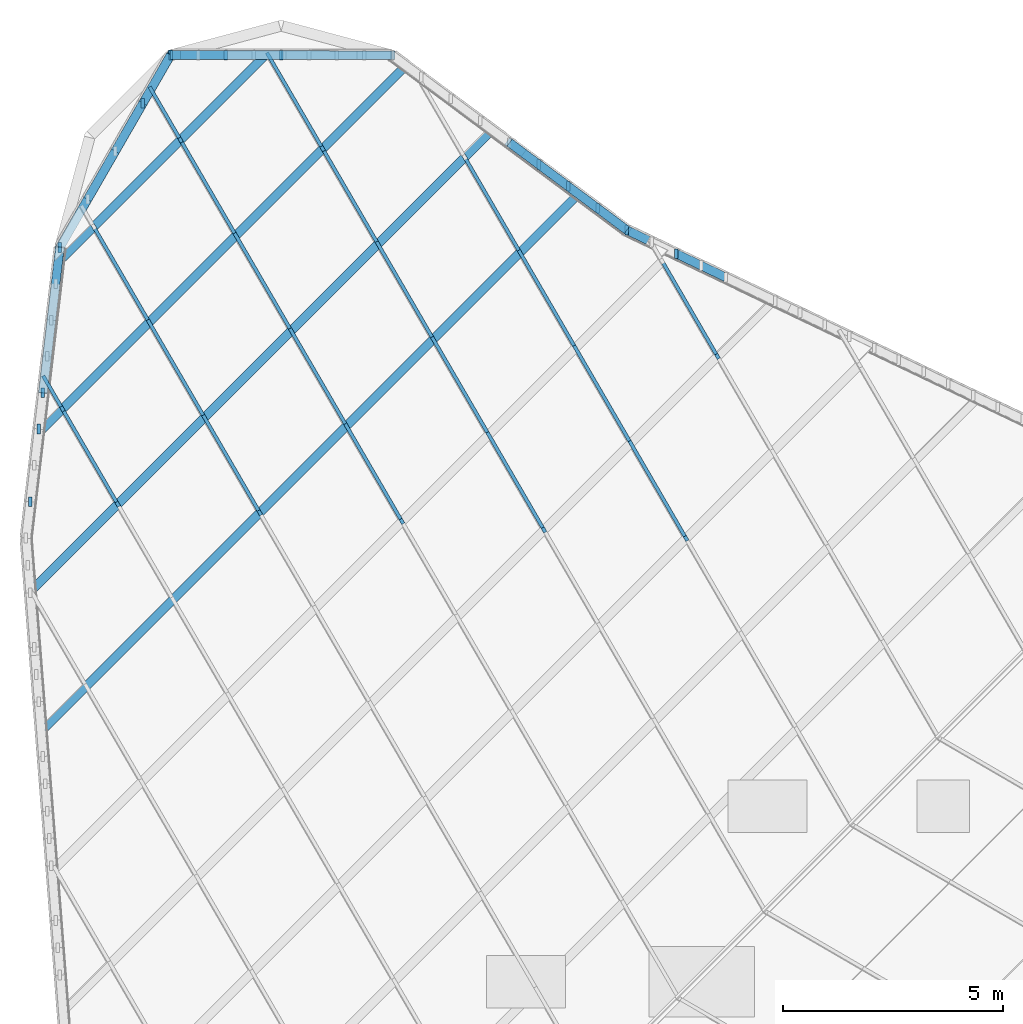
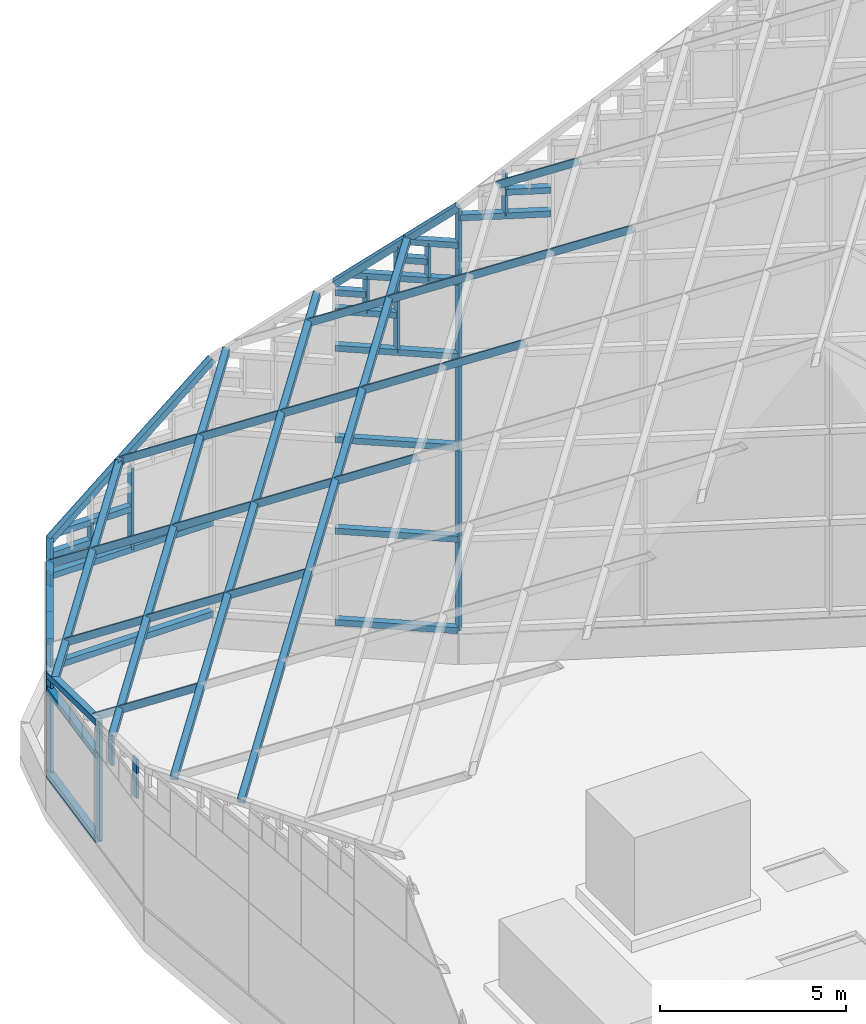
# One storey, part 8 of 29: 64 members, 1 element without a shape of its own.
"""IFC4 building model written with IfcOpenShell, lengths in metres."""

from ifc_helpers import new_model, si_unit, direction, frame, origin, origin_2d, place, context, subcontext, project, spatial, rectangle, extrude, material, material_profile, profile_set, type_object, element, aggregate, save


model = new_model("IFC4")

# Units and contexts
model_context = context("Model", 3, precision=1e-05, world=origin(), true_north=direction((0.0, 1.0)))
body_context = subcontext(model_context, "Body", "Model", "MODEL_VIEW")
ifc_project = project(units=[si_unit("LENGTHUNIT", "METRE"), si_unit("AREAUNIT", "SQUARE_METRE"), si_unit("VOLUMEUNIT", "CUBIC_METRE"), si_unit("PLANEANGLEUNIT", "RADIAN"), si_unit("MASSUNIT", "GRAM", prefix="KILO")], contexts=[model_context])

# Site, building, storey
site_placement = place(None, origin())
site = spatial("IfcSite", under=ifc_project, at=site_placement, CompositionType="ELEMENT")
building_placement = place(site_placement, origin())
building = spatial("IfcBuilding", under=site, at=building_placement, Name="Tanit Gate Tower", CompositionType="ELEMENT")
storey_placement = place(building_placement, frame((0.0, 0.0, 445.300048828125)))
storey = spatial("IfcBuildingStorey", under=building, at=storey_placement, Name="ROOF", CompositionType="ELEMENT", Elevation=445.300048828125)

# Curtain wall, members
ifc_material_1 = material(Name="Aluminium bronze anodised and glass", Category="aluminium")
curtain_wall_type = type_object("IfcCurtainWallType", Name="Curtain wall crown roof", PredefinedType="NOTDEFINED", material=ifc_material_1)
curtain_wall_placement = place(storey_placement, origin())
curtain_wall = element("IfcCurtainWall", 1, at=curtain_wall_placement, inside=storey, type_object=curtain_wall_type, Name="Crown lantern", PredefinedType="NOTDEFINED")
ifc_material_2 = material(Name="Aluminium bronze anodised", Category="aluminium")
ifc_material_profile_1 = material_profile(ifc_material_2, rectangle(XDim=0.080078125, YDim=0.219970703125, at=origin_2d()), Name="80x220 bronze rafter")
ifc_profile_set_1 = profile_set([ifc_material_profile_1], Name="Aluminium bronze anodised")
member_type_1 = type_object("IfcMemberType", Name="Mullion 80x220 crown roof", PredefinedType="MULLION", material=ifc_profile_set_1)
member_1_placement = place(storey_placement, frame((-1.703125, 16.960205078125, 1.199951171875), z_axis=(0.0, 0.0, 1.0), x_axis=(1.0, 0.0, 0.0)))
member_1 = element("IfcMember", 2, at=member_1_placement, type_object=member_type_1, Name="Lantern mullion 8", PredefinedType="MULLION", context=body_context, shape_type="SweptSolid", body=[
    extrude(rectangle(XDim=0.080078125, YDim=0.219970703125, at=origin_2d()), origin(), (0.0, 0.0, 1.0), 13.86279296875),
])
member_2_placement = place(storey_placement, frame((-12.093505859375, 20.9462890625, 1.199951171875), z_axis=(0.0, 0.0, 1.0), x_axis=(1.0, 0.0, 0.0)))
member_2 = element("IfcMember", 3, at=member_2_placement, type_object=member_type_1, Name="Lantern mullion 11", PredefinedType="MULLION", context=body_context, shape_type="SweptSolid", body=[
    extrude(rectangle(XDim=0.080078125, YDim=0.219970703125, at=origin_2d()), origin(), (0.0, 0.0, 1.0), 4.14697265625),
])
member_3_placement = place(storey_placement, frame((-14.61572265625, 16.5654296875, 1.199951171875), z_axis=(0.0, 0.0, 1.0), x_axis=(1.0, 0.0, 0.0)))
member_3 = element("IfcMember", 4, at=member_3_placement, type_object=member_type_1, Name="Lantern mullion 12", PredefinedType="MULLION", context=body_context, shape_type="SweptSolid", body=[
    extrude(rectangle(XDim=0.080078125, YDim=0.219970703125, at=origin_2d()), origin(), (0.0, 0.0, 1.0), 3.26220703125),
])
member_4_placement = place(storey_placement, frame((-15.003173828125, 13.2578125, 1.199951171875), z_axis=(0.0, 0.0, 1.0), x_axis=(1.0, 0.0, 0.0)))
member_4 = element("IfcMember", 5, at=member_4_placement, type_object=member_type_1, Name="Lantern mullion 13", PredefinedType="MULLION", context=body_context, shape_type="SweptSolid", body=[
    extrude(rectangle(XDim=0.080078125, YDim=0.219970703125, at=origin_2d()), origin(), (0.0, 0.0, 1.0), 3.852294921875),
])
member_5_placement = place(storey_placement, frame((-0.5771484375, 16.42236328125, 14.747802734375), z_axis=(0.0, 0.0, 1.0), x_axis=(1.0, 0.0, 0.0)))
member_5 = element("IfcMember", 6, at=member_5_placement, type_object=member_type_1, Name="Lantern clerestory bar 7.5.4", PredefinedType="MULLION", context=body_context, shape_type="SweptSolid", body=[
    extrude(rectangle(XDim=0.080078125, YDim=0.219970703125, at=origin_2d()), origin(), (0.0, 0.0, 1.0), 1.39697265625),
])
member_6_placement = place(storey_placement, frame((-3.040283203125, 17.9560546875, 10.199951171875), z_axis=(0.0, 0.0, 1.0), x_axis=(1.0, 0.0, 0.0)))
member_6 = element("IfcMember", 7, at=member_6_placement, type_object=member_type_1, Name="Lantern clerestory bar 8.4.2", PredefinedType="MULLION", context=body_context, shape_type="SweptSolid", body=[
    extrude(rectangle(XDim=0.080078125, YDim=0.219970703125, at=origin_2d()), origin(), (0.0, 0.0, 1.0), 2.431396484375),
])
member_7_placement = place(storey_placement, frame((-3.708984375, 18.4541015625, 11.41552734375), z_axis=(0.0, 0.0, 1.0), x_axis=(1.0, 0.0, 0.0)))
member_7 = element("IfcMember", 8, at=member_7_placement, type_object=member_type_1, Name="Lantern clerestory bar 8.4.4", PredefinedType="MULLION", context=body_context, shape_type="SweptSolid", body=[
    extrude(rectangle(XDim=0.080078125, YDim=0.219970703125, at=origin_2d()), origin(), (0.0, 0.0, 1.0), 1.2158203125),
])
member_8_placement = place(storey_placement, frame((-3.040283203125, 17.9560546875, 12.63134765625), z_axis=(0.0, 0.0, 1.0), x_axis=(1.0, 0.0, 0.0)))
member_8 = element("IfcMember", 9, at=member_8_placement, type_object=member_type_1, Name="Lantern clerestory bar 8.4.6", PredefinedType="MULLION", context=body_context, shape_type="SweptSolid", body=[
    extrude(rectangle(XDim=0.080078125, YDim=0.219970703125, at=origin_2d()), origin(), (0.0, 0.0, 1.0), 1.0478515625),
])
member_9_placement = place(storey_placement, frame((-2.371826171875, 17.458251953125, 12.63134765625), z_axis=(0.0, 0.0, 1.0), x_axis=(1.0, 0.0, 0.0)))
member_9 = element("IfcMember", 10, at=member_9_placement, type_object=member_type_1, Name="Lantern clerestory bar 8.4.8", PredefinedType="MULLION", context=body_context, shape_type="SweptSolid", body=[
    extrude(rectangle(XDim=0.080078125, YDim=0.219970703125, at=origin_2d()), origin(), (0.0, 0.0, 1.0), 1.215576171875),
])
member_10_placement = place(storey_placement, frame((-9.57275390625, 20.9453125, 4.199951171875), z_axis=(0.0, 0.0, 1.0), x_axis=(1.0, 0.0, 0.0)))
member_10 = element("IfcMember", 11, at=member_10_placement, type_object=member_type_1, Name="Lantern clerestory bar 10.2.2", PredefinedType="MULLION", context=body_context, shape_type="SweptSolid", body=[
    extrude(rectangle(XDim=0.080078125, YDim=0.219970703125, at=origin_2d()), origin(), (0.0, 0.0, 1.0), 2.66455078125),
])
member_11_placement = place(storey_placement, frame((-10.8330078125, 20.94580078125, 4.199951171875), z_axis=(0.0, 0.0, 1.0), x_axis=(1.0, 0.0, 0.0)))
member_11 = element("IfcMember", 12, at=member_11_placement, type_object=member_type_1, Name="Lantern clerestory bar 10.2.4", PredefinedType="MULLION", context=body_context, shape_type="SweptSolid", body=[
    extrude(rectangle(XDim=0.080078125, YDim=0.219970703125, at=origin_2d()), origin(), (0.0, 0.0, 1.0), 1.332275390625),
])
member_12_placement = place(storey_placement, frame((-12.72412109375, 19.85107421875, 3.962158203125), z_axis=(0.0, 0.0, 1.0), x_axis=(1.0, 0.0, 0.0)))
member_12 = element("IfcMember", 13, at=member_12_placement, type_object=member_type_1, Name="Lantern clerestory bar 11.2.2", PredefinedType="MULLION", context=body_context, shape_type="SweptSolid", body=[
    extrude(rectangle(XDim=0.080078125, YDim=0.219970703125, at=origin_2d()), origin(), (0.0, 0.0, 1.0), 1.16357421875),
])
member_13_placement = place(storey_placement, frame((-15.10009765625, 12.43115234375, 4.199951171875), z_axis=(0.0, 0.0, 1.0), x_axis=(1.0, 0.0, 0.0)))
member_13 = element("IfcMember", 14, at=member_13_placement, type_object=member_type_1, Name="Lantern clerestory bar 13.2.2", PredefinedType="MULLION", context=body_context, shape_type="SweptSolid", body=[
    extrude(rectangle(XDim=0.080078125, YDim=0.219970703125, at=origin_2d()), origin(), (0.0, 0.0, 1.0), 0.999755859375),
])
member_14_placement = place(storey_placement, frame((-15.293701171875, 10.77734375, 4.199951171875), z_axis=(0.0, 0.0, 1.0), x_axis=(1.0, 0.0, 0.0)))
member_14 = element("IfcMember", 15, at=member_14_placement, type_object=member_type_1, Name="Lantern clerestory bar 13.2.5", PredefinedType="MULLION", context=body_context, shape_type="SweptSolid", body=[
    extrude(rectangle(XDim=0.080078125, YDim=0.219970703125, at=origin_2d()), origin(), (0.0, 0.0, 1.0), 1.294677734375),
])
member_15_placement = place(storey_placement, frame((-13.29736328125, 10.718505859375, 7.16650390625), z_axis=(-0.420098879156, 0.723494582662, -0.547788755444), x_axis=(-0.864786221347, -0.502140210865, 0.0)))
member_15 = element("IfcMember", 16, at=member_15_placement, type_object=member_type_1, Name="Lantern rafter E6", PredefinedType="MULLION", context=body_context, shape_type="SweptSolid", body=[
    extrude(rectangle(XDim=0.080078125, YDim=0.219970703125, at=origin_2d()), origin(), (0.0, 0.0, 1.0), 3.0),
])
member_16_placement = place(storey_placement, frame((-14.5576171875, 12.888916015625, 5.523193359375), z_axis=(-0.420135445125, 0.723510559462, -0.54773960793), x_axis=(-0.864772057256, -0.502164603481, 0.0)))
member_16 = element("IfcMember", 17, at=member_16_placement, type_object=member_type_1, Name="Lantern rafter E6", PredefinedType="MULLION", context=body_context, shape_type="SweptSolid", body=[
    extrude(rectangle(XDim=0.080078125, YDim=0.219970703125, at=origin_2d()), origin(), (0.0, 0.0, 1.0), 0.968017578125),
])
member_17_placement = place(storey_placement, frame((-10.061767578125, 10.523193359375, 9.90380859375), z_axis=(-0.420098879156, 0.723494582662, -0.547788755444), x_axis=(-0.864786221347, -0.502140210865, 0.0)))
member_17 = element("IfcMember", 18, at=member_17_placement, type_object=member_type_1, Name="Lantern rafter E7", PredefinedType="MULLION", context=body_context, shape_type="SweptSolid", body=[
    extrude(rectangle(XDim=0.080078125, YDim=0.219970703125, at=origin_2d()), origin(), (0.0, 0.0, 1.0), 3.0),
])
member_18_placement = place(storey_placement, frame((-11.322021484375, 12.693603515625, 8.260498046875), z_axis=(-0.420141159031, 0.723508627725, -0.547737776765), x_axis=(-0.864768509235, -0.502170713438, 0.0)))
member_18 = element("IfcMember", 19, at=member_18_placement, type_object=member_type_1, Name="Lantern rafter E7", PredefinedType="MULLION", context=body_context, shape_type="SweptSolid", body=[
    extrude(rectangle(XDim=0.080078125, YDim=0.219970703125, at=origin_2d()), origin(), (0.0, 0.0, 1.0), 3.000244140625),
])
member_19_placement = place(storey_placement, frame((-12.58251953125, 14.8642578125, 6.6171875), z_axis=(-0.420098879156, 0.723494582662, -0.547788755444), x_axis=(-0.864786221347, -0.502140210865, 0.0)))
member_19 = element("IfcMember", 20, at=member_19_placement, type_object=member_type_1, Name="Lantern rafter E7", PredefinedType="MULLION", context=body_context, shape_type="SweptSolid", body=[
    extrude(rectangle(XDim=0.080078125, YDim=0.219970703125, at=origin_2d()), origin(), (0.0, 0.0, 1.0), 3.0),
])
member_20_placement = place(storey_placement, frame((-6.826171875, 10.327880859375, 12.64111328125), z_axis=(-0.420074144471, 0.723533362745, -0.547756502602), x_axis=(-0.864810745962, -0.502097972181, 0.0)))
member_20 = element("IfcMember", 21, at=member_20_placement, type_object=member_type_1, Name="Lantern rafter E8", PredefinedType="MULLION", context=body_context, shape_type="SweptSolid", body=[
    extrude(rectangle(XDim=0.080078125, YDim=0.219970703125, at=origin_2d()), origin(), (0.0, 0.0, 1.0), 3.0),
])
member_21_placement = place(storey_placement, frame((-8.08642578125, 12.49853515625, 10.997802734375), z_axis=(-0.420165895971, 0.723469846055, -0.547770026299), x_axis=(-0.864743978712, -0.502212954116, 0.0)))
member_21 = element("IfcMember", 22, at=member_21_placement, type_object=member_type_1, Name="Lantern rafter E8", PredefinedType="MULLION", context=body_context, shape_type="SweptSolid", body=[
    extrude(rectangle(XDim=0.080078125, YDim=0.219970703125, at=origin_2d()), origin(), (0.0, 0.0, 1.0), 3.0),
])
member_22_placement = place(storey_placement, frame((-9.346923828125, 14.6689453125, 9.3544921875), z_axis=(-0.420098879156, 0.723494582662, -0.547788755444), x_axis=(-0.864786221347, -0.502140210865, 0.0)))
member_22 = element("IfcMember", 23, at=member_22_placement, type_object=member_type_1, Name="Lantern rafter E8", PredefinedType="MULLION", context=body_context, shape_type="SweptSolid", body=[
    extrude(rectangle(XDim=0.080078125, YDim=0.219970703125, at=origin_2d()), origin(), (0.0, 0.0, 1.0), 3.0),
])
member_23_placement = place(storey_placement, frame((-10.607177734375, 16.83935546875, 7.711181640625), z_axis=(-0.420074144471, 0.723533362745, -0.547756502602), x_axis=(-0.864810745962, -0.502097972181, 0.0)))
member_23 = element("IfcMember", 24, at=member_23_placement, type_object=member_type_1, Name="Lantern rafter E8", PredefinedType="MULLION", context=body_context, shape_type="SweptSolid", body=[
    extrude(rectangle(XDim=0.080078125, YDim=0.219970703125, at=origin_2d()), origin(), (0.0, 0.0, 1.0), 3.0),
])
member_24_placement = place(storey_placement, frame((-11.867431640625, 19.010009765625, 6.06787109375), z_axis=(-0.42018284731, 0.723512814313, -0.547700266889), x_axis=(-0.864748132793, -0.502205801272, 0.0)))
member_24 = element("IfcMember", 25, at=member_24_placement, type_object=member_type_1, Name="Lantern rafter E8", PredefinedType="MULLION", context=body_context, shape_type="SweptSolid", body=[
    extrude(rectangle(XDim=0.080078125, YDim=0.219970703125, at=origin_2d()), origin(), (0.0, 0.0, 1.0), 1.6025390625),
])
member_25_placement = place(storey_placement, frame((-3.590576171875, 10.1328125, 15.37841796875), z_axis=(-0.420098879156, 0.723494582662, -0.547788755444), x_axis=(-0.864786221347, -0.502140210865, 0.0)))
member_25 = element("IfcMember", 26, at=member_25_placement, type_object=member_type_1, Name="Lantern rafter E9", PredefinedType="MULLION", context=body_context, shape_type="SweptSolid", body=[
    extrude(rectangle(XDim=0.080078125, YDim=0.219970703125, at=origin_2d()), origin(), (0.0, 0.0, 1.0), 3.0),
])
member_26_placement = place(storey_placement, frame((-4.850830078125, 12.30322265625, 13.735107421875), z_axis=(-0.420165895971, 0.723469846055, -0.547770026299), x_axis=(-0.864743978712, -0.502212954116, 0.0)))
member_26 = element("IfcMember", 27, at=member_26_placement, type_object=member_type_1, Name="Lantern rafter E9", PredefinedType="MULLION", context=body_context, shape_type="SweptSolid", body=[
    extrude(rectangle(XDim=0.080078125, YDim=0.219970703125, at=origin_2d()), origin(), (0.0, 0.0, 1.0), 3.0),
])
member_27_placement = place(storey_placement, frame((-6.111328125, 14.4736328125, 12.091796875), z_axis=(-0.420074144471, 0.723533362745, -0.547756502602), x_axis=(-0.864810745962, -0.502097972181, 0.0)))
member_27 = element("IfcMember", 28, at=member_27_placement, type_object=member_type_1, Name="Lantern rafter E9", PredefinedType="MULLION", context=body_context, shape_type="SweptSolid", body=[
    extrude(rectangle(XDim=0.080078125, YDim=0.219970703125, at=origin_2d()), origin(), (0.0, 0.0, 1.0), 3.0),
])
member_28_placement = place(storey_placement, frame((-7.37158203125, 16.644287109375, 10.448486328125), z_axis=(-0.420098879156, 0.723494582662, -0.547788755444), x_axis=(-0.864786221347, -0.502140210865, 0.0)))
member_28 = element("IfcMember", 29, at=member_28_placement, type_object=member_type_1, Name="Lantern rafter E9", PredefinedType="MULLION", context=body_context, shape_type="SweptSolid", body=[
    extrude(rectangle(XDim=0.080078125, YDim=0.219970703125, at=origin_2d()), origin(), (0.0, 0.0, 1.0), 3.0),
])
member_29_placement = place(storey_placement, frame((-8.6318359375, 18.814697265625, 8.80517578125), z_axis=(-0.420154179832, 0.723497538949, -0.547742436099), x_axis=(-0.864758408327, -0.502188107414, 0.0)))
member_29 = element("IfcMember", 30, at=member_29_placement, type_object=member_type_1, Name="Lantern rafter E9", PredefinedType="MULLION", context=body_context, shape_type="SweptSolid", body=[
    extrude(rectangle(XDim=0.080078125, YDim=0.219970703125, at=origin_2d()), origin(), (0.0, 0.0, 1.0), 2.94482421875),
])
member_30_placement = place(storey_placement, frame((-0.35498046875, 9.9375, 18.115966796875), z_axis=(-0.420080150726, 0.723462328546, -0.54784571381), x_axis=(-0.864786221347, -0.502140210865, 0.0)))
member_30 = element("IfcMember", 31, at=member_30_placement, type_object=member_type_1, Name="Lantern rafter E10", PredefinedType="MULLION", context=body_context, shape_type="SweptSolid", body=[
    extrude(rectangle(XDim=0.080078125, YDim=0.219970703125, at=origin_2d()), origin(), (0.0, 0.0, 1.0), 3.0),
])
member_31_placement = place(storey_placement, frame((-1.615234375, 12.10791015625, 16.472412109375), z_axis=(-0.420141159031, 0.723508627725, -0.547737776765), x_axis=(-0.864768509235, -0.502170713438, 0.0)))
member_31 = element("IfcMember", 32, at=member_31_placement, type_object=member_type_1, Name="Lantern rafter E10", PredefinedType="MULLION", context=body_context, shape_type="SweptSolid", body=[
    extrude(rectangle(XDim=0.080078125, YDim=0.219970703125, at=origin_2d()), origin(), (0.0, 0.0, 1.0), 3.000244140625),
])
member_32_placement = place(storey_placement, frame((-2.875732421875, 14.278564453125, 14.8291015625), z_axis=(-0.420098879156, 0.723494582662, -0.547788755444), x_axis=(-0.864786221347, -0.502140210865, 0.0)))
member_32 = element("IfcMember", 33, at=member_32_placement, type_object=member_type_1, Name="Lantern rafter E10", PredefinedType="MULLION", context=body_context, shape_type="SweptSolid", body=[
    extrude(rectangle(XDim=0.080078125, YDim=0.219970703125, at=origin_2d()), origin(), (0.0, 0.0, 1.0), 3.0),
])
member_33_placement = place(storey_placement, frame((-4.135986328125, 16.448974609375, 13.185791015625), z_axis=(-0.420098879156, 0.723494582662, -0.547788755444), x_axis=(-0.864786221347, -0.502140210865, 0.0)))
member_33 = element("IfcMember", 34, at=member_33_placement, type_object=member_type_1, Name="Lantern rafter E10", PredefinedType="MULLION", context=body_context, shape_type="SweptSolid", body=[
    extrude(rectangle(XDim=0.080078125, YDim=0.219970703125, at=origin_2d()), origin(), (0.0, 0.0, 1.0), 3.0),
])
member_34_placement = place(storey_placement, frame((0.35986328125, 14.083251953125, 17.56640625), z_axis=(-0.420098879156, 0.723494582662, -0.547788755444), x_axis=(-0.864786221347, -0.502140210865, 0.0)))
member_34 = element("IfcMember", 35, at=member_34_placement, type_object=member_type_1, Name="Lantern rafter E11", PredefinedType="MULLION", context=body_context, shape_type="SweptSolid", body=[
    extrude(rectangle(XDim=0.080078125, YDim=0.219970703125, at=origin_2d()), origin(), (0.0, 0.0, 1.0), 3.0),
])
ifc_material_3 = material(Name="Aluminium bronze anodised", Category="aluminium")
ifc_material_profile_2 = material_profile(ifc_material_3, rectangle(XDim=0.199951171875, YDim=0.199951171875, at=origin_2d()), Name="200x200 bronze transom")
ifc_profile_set_2 = profile_set([ifc_material_profile_2], Name="Aluminium bronze anodised")
member_type_2 = type_object("IfcMemberType", Name="Transom 200x200 crown roof", PredefinedType="USERDEFINED", material=ifc_profile_set_2)
member_35_placement = place(storey_placement, frame((-1.703125, 16.960205078125, 1.199951171875), z_axis=(-0.801981170866, 0.597349312862, 0.0), x_axis=(-0.597349312862, -0.801981170866, 0.0)))
member_35 = element("IfcMember", 36, at=member_35_placement, type_object=member_type_2, Name="Lantern eave beam 8", ObjectType="TRANSOM", PredefinedType="USERDEFINED", context=body_context, shape_type="SweptSolid", body=[
    extrude(rectangle(XDim=0.199951171875, YDim=0.199951171875, at=origin_2d()), origin(), (0.0, 0.0, 1.0), 3.334716796875),
])
member_36_placement = place(storey_placement, frame((-1.703125, 16.960205078125, 15.062744140625), z_axis=(-0.617191618922, 0.459710281065, -0.638545975648), x_axis=(-0.597349312862, -0.801981170866, 0.0)))
member_36 = element("IfcMember", 37, at=member_36_placement, type_object=member_type_2, Name="Lantern edge beam 8", ObjectType="TRANSOM", PredefinedType="USERDEFINED", context=body_context, shape_type="SweptSolid", body=[
    extrude(rectangle(XDim=0.199951171875, YDim=0.199951171875, at=origin_2d()), origin(), (0.0, 0.0, 1.0), 4.3330078125),
])
member_37_placement = place(storey_placement, frame((-7.052001953125, 20.944091796875, 1.199951171875), z_axis=(-0.999999905024, 0.00043583531, 0.0), x_axis=(-0.00043583531, -0.999999905024, 0.0)))
member_37 = element("IfcMember", 38, at=member_37_placement, type_object=member_type_2, Name="Lantern eave beam 10", ObjectType="TRANSOM", PredefinedType="USERDEFINED", context=body_context, shape_type="SweptSolid", body=[
    extrude(rectangle(XDim=0.199951171875, YDim=0.199951171875, at=origin_2d()), origin(), (0.0, 0.0, 1.0), 5.04150390625),
])
member_38_placement = place(storey_placement, frame((-7.052001953125, 20.944091796875, 9.529052734375), z_axis=(-0.769655170904, 0.000335442932, -0.6384597132), x_axis=(-0.00043583531, -0.999999905024, 0.0)))
member_38 = element("IfcMember", 39, at=member_38_placement, type_object=member_type_2, Name="Lantern edge beam 10", ObjectType="TRANSOM", PredefinedType="USERDEFINED", context=body_context, shape_type="SweptSolid", body=[
    extrude(rectangle(XDim=0.199951171875, YDim=0.199951171875, at=origin_2d()), origin(), (0.0, 0.0, 1.0), 6.55029296875),
])
member_39_placement = place(storey_placement, frame((-12.093505859375, 20.9462890625, 1.199951171875), z_axis=(-0.498950155725, -0.866630683799, 0.0), x_axis=(0.866630683799, -0.498950155725, 0.0)))
member_39 = element("IfcMember", 40, at=member_39_placement, type_object=member_type_2, Name="Lantern eave beam 11", ObjectType="TRANSOM", PredefinedType="USERDEFINED", context=body_context, shape_type="SweptSolid", body=[
    extrude(rectangle(XDim=0.199951171875, YDim=0.199951171875, at=origin_2d()), origin(), (0.0, 0.0, 1.0), 5.054931640625),
])
member_40_placement = place(storey_placement, frame((-12.093505859375, 20.9462890625, 5.346923828125), z_axis=(-0.491478920839, -0.85365383366, -0.172405344025), x_axis=(0.866630683799, -0.498950155725, 0.0)))
member_40 = element("IfcMember", 41, at=member_40_placement, type_object=member_type_2, Name="Lantern edge beam 11", ObjectType="TRANSOM", PredefinedType="USERDEFINED", context=body_context, shape_type="SweptSolid", body=[
    extrude(rectangle(XDim=0.199951171875, YDim=0.199951171875, at=origin_2d()), origin(), (0.0, 0.0, 1.0), 5.1318359375),
])
member_41_placement = place(storey_placement, frame((-14.61572265625, 16.5654296875, 1.199951171875), z_axis=(-0.116343573015, -0.993209027858, 0.0), x_axis=(0.993209027858, -0.116343573015, 0.0)))
member_41 = element("IfcMember", 42, at=member_41_placement, type_object=member_type_2, Name="Lantern eave beam 12", ObjectType="TRANSOM", PredefinedType="USERDEFINED", context=body_context, shape_type="SweptSolid", body=[
    extrude(rectangle(XDim=0.199951171875, YDim=0.199951171875, at=origin_2d()), origin(), (0.0, 0.0, 1.0), 3.330322265625),
])
member_42_placement = place(storey_placement, frame((-14.61572265625, 16.5654296875, 4.462158203125), z_axis=(-0.114559082003, -0.977975074343, 0.174473409705), x_axis=(0.993209027858, -0.116343573015, 0.0)))
member_42 = element("IfcMember", 43, at=member_42_placement, type_object=member_type_2, Name="Lantern edge beam 12", ObjectType="TRANSOM", PredefinedType="USERDEFINED", context=body_context, shape_type="SweptSolid", body=[
    extrude(rectangle(XDim=0.199951171875, YDim=0.199951171875, at=origin_2d()), origin(), (0.0, 0.0, 1.0), 3.382080078125),
])
member_43_placement = place(storey_placement, frame((0.548828125, 15.88427734375, 14.747802734375), z_axis=(-0.902304661425, 0.431098942205, 0.0), x_axis=(-0.431098942205, -0.902304661425, 0.0)))
member_43 = element("IfcMember", 44, at=member_43_placement, type_object=member_type_2, Name="Lantern clerestory bar 7.5.3", ObjectType="TRANSOM", PredefinedType="USERDEFINED", context=body_context, shape_type="SweptSolid", body=[
    extrude(rectangle(XDim=0.199951171875, YDim=0.199951171875, at=origin_2d()), origin(), (0.0, 0.0, 1.0), 2.495849609375),
])
member_44_placement = place(storey_placement, frame((0.548828125, 15.88427734375, 15.521728515625), z_axis=(-0.902266608691, 0.431178578828, 0.0), x_axis=(-0.431178578828, -0.902266608691, 0.0)))
member_44 = element("IfcMember", 45, at=member_44_placement, type_object=member_type_2, Name="Lantern clerestory bar 7.5.5", ObjectType="TRANSOM", PredefinedType="USERDEFINED", context=body_context, shape_type="SweptSolid", body=[
    extrude(rectangle(XDim=0.199951171875, YDim=0.199951171875, at=origin_2d()), origin(), (0.0, 0.0, 1.0), 1.248046875),
])
member_45_placement = place(storey_placement, frame((-1.703125, 16.960205078125, 4.199951171875), z_axis=(-0.801981170866, 0.597349312862, 0.0), x_axis=(-0.597349312862, -0.801981170866, 0.0)))
member_45 = element("IfcMember", 46, at=member_45_placement, type_object=member_type_2, Name="Lantern clerestory transom 8.1", ObjectType="TRANSOM", PredefinedType="USERDEFINED", context=body_context, shape_type="SweptSolid", body=[
    extrude(rectangle(XDim=0.199951171875, YDim=0.199951171875, at=origin_2d()), origin(), (0.0, 0.0, 1.0), 3.334716796875),
])
member_46_placement = place(storey_placement, frame((-1.703125, 16.960205078125, 7.199951171875), z_axis=(-0.801981170866, 0.597349312862, 0.0), x_axis=(-0.597349312862, -0.801981170866, 0.0)))
member_46 = element("IfcMember", 47, at=member_46_placement, type_object=member_type_2, Name="Lantern clerestory transom 8.2", ObjectType="TRANSOM", PredefinedType="USERDEFINED", context=body_context, shape_type="SweptSolid", body=[
    extrude(rectangle(XDim=0.199951171875, YDim=0.199951171875, at=origin_2d()), origin(), (0.0, 0.0, 1.0), 3.334716796875),
])
member_47_placement = place(storey_placement, frame((-1.703125, 16.960205078125, 10.199951171875), z_axis=(-0.801981170866, 0.597349312862, 0.0), x_axis=(-0.597349312862, -0.801981170866, 0.0)))
member_47 = element("IfcMember", 48, at=member_47_placement, type_object=member_type_2, Name="Lantern clerestory transom 8.3", ObjectType="TRANSOM", PredefinedType="USERDEFINED", context=body_context, shape_type="SweptSolid", body=[
    extrude(rectangle(XDim=0.199951171875, YDim=0.199951171875, at=origin_2d()), origin(), (0.0, 0.0, 1.0), 3.334716796875),
])
member_48_placement = place(storey_placement, frame((-1.703125, 16.960205078125, 12.63134765625), z_axis=(-0.801975173402, 0.597357364772, 0.0), x_axis=(-0.597357364772, -0.801975173402, 0.0)))
member_48 = element("IfcMember", 49, at=member_48_placement, type_object=member_type_2, Name="Lantern clerestory bar 8.4.1", ObjectType="TRANSOM", PredefinedType="USERDEFINED", context=body_context, shape_type="SweptSolid", body=[
    extrude(rectangle(XDim=0.199951171875, YDim=0.199951171875, at=origin_2d()), origin(), (0.0, 0.0, 1.0), 2.930419921875),
])
member_49_placement = place(storey_placement, frame((-3.040283203125, 17.9560546875, 11.41552734375), z_axis=(-0.801946097124, 0.597396398807, 0.0), x_axis=(-0.597396398807, -0.801946097124, 0.0)))
member_49 = element("IfcMember", 50, at=member_49_placement, type_object=member_type_2, Name="Lantern clerestory bar 8.4.3", ObjectType="TRANSOM", PredefinedType="USERDEFINED", context=body_context, shape_type="SweptSolid", body=[
    extrude(rectangle(XDim=0.199951171875, YDim=0.199951171875, at=origin_2d()), origin(), (0.0, 0.0, 1.0), 1.66748046875),
])
member_50_placement = place(storey_placement, frame((-3.708984375, 18.4541015625, 12.0234375), z_axis=(-0.801893832945, 0.597466551938, 0.0), x_axis=(-0.597466551938, -0.801893832945, 0.0)))
member_50 = element("IfcMember", 51, at=member_50_placement, type_object=member_type_2, Name="Lantern clerestory bar 8.4.5", ObjectType="TRANSOM", PredefinedType="USERDEFINED", context=body_context, shape_type="SweptSolid", body=[
    extrude(rectangle(XDim=0.199951171875, YDim=0.199951171875, at=origin_2d()), origin(), (0.0, 0.0, 1.0), 0.83349609375),
])
member_51_placement = place(storey_placement, frame((-1.703125, 16.960205078125, 13.846923828125), z_axis=(-0.801975173402, 0.597357364772, 0.0), x_axis=(-0.597357364772, -0.801975173402, 0.0)))
member_51 = element("IfcMember", 52, at=member_51_placement, type_object=member_type_2, Name="Lantern clerestory bar 8.4.7", ObjectType="TRANSOM", PredefinedType="USERDEFINED", context=body_context, shape_type="SweptSolid", body=[
    extrude(rectangle(XDim=0.199951171875, YDim=0.199951171875, at=origin_2d()), origin(), (0.0, 0.0, 1.0), 1.465087890625),
])
member_52_placement = place(storey_placement, frame((-2.371826171875, 17.458251953125, 13.2392578125), z_axis=(-0.802034153542, 0.597278173511, 0.0), x_axis=(-0.597278173511, -0.802034153542, 0.0)))
member_52 = element("IfcMember", 53, at=member_52_placement, type_object=member_type_2, Name="Lantern clerestory bar 8.4.9", ObjectType="TRANSOM", PredefinedType="USERDEFINED", context=body_context, shape_type="SweptSolid", body=[
    extrude(rectangle(XDim=0.199951171875, YDim=0.199951171875, at=origin_2d()), origin(), (0.0, 0.0, 1.0), 0.83349609375),
])
member_53_placement = place(storey_placement, frame((-7.052001953125, 20.944091796875, 4.199951171875), z_axis=(-0.999999905024, 0.00043583531, 0.0), x_axis=(-0.00043583531, -0.999999905024, 0.0)))
member_53 = element("IfcMember", 54, at=member_53_placement, type_object=member_type_2, Name="Lantern clerestory transom 10.1", ObjectType="TRANSOM", PredefinedType="USERDEFINED", context=body_context, shape_type="SweptSolid", body=[
    extrude(rectangle(XDim=0.199951171875, YDim=0.199951171875, at=origin_2d()), origin(), (0.0, 0.0, 1.0), 5.04150390625),
])
member_54_placement = place(storey_placement, frame((-9.57275390625, 20.9453125, 5.5322265625), z_axis=(-0.999999909654, 0.000425079664, 0.0), x_axis=(-0.000425079664, -0.999999909654, 0.0)))
member_54 = element("IfcMember", 55, at=member_54_placement, type_object=member_type_2, Name="Lantern clerestory bar 10.2.3", ObjectType="TRANSOM", PredefinedType="USERDEFINED", context=body_context, shape_type="SweptSolid", body=[
    extrude(rectangle(XDim=0.199951171875, YDim=0.199951171875, at=origin_2d()), origin(), (0.0, 0.0, 1.0), 2.29736328125),
])
member_55_placement = place(storey_placement, frame((-10.8330078125, 20.94580078125, 4.865966796875), z_axis=(-0.999999924972, 0.000387371654, 0.0), x_axis=(-0.000387371654, -0.999999924972, 0.0)))
member_55 = element("IfcMember", 56, at=member_55_placement, type_object=member_type_2, Name="Lantern clerestory bar 10.2.5", ObjectType="TRANSOM", PredefinedType="USERDEFINED", context=body_context, shape_type="SweptSolid", body=[
    extrude(rectangle(XDim=0.199951171875, YDim=0.199951171875, at=origin_2d()), origin(), (0.0, 0.0, 1.0), 1.260498046875),
])
member_56_placement = place(storey_placement, frame((-12.093505859375, 20.9462890625, 3.962158203125), z_axis=(-0.498950155725, -0.866630683799, 0.0), x_axis=(0.866630683799, -0.498950155725, 0.0)))
member_56 = element("IfcMember", 57, at=member_56_placement, type_object=member_type_2, Name="Lantern clerestory transom 11.1", ObjectType="TRANSOM", PredefinedType="USERDEFINED", context=body_context, shape_type="SweptSolid", body=[
    extrude(rectangle(XDim=0.199951171875, YDim=0.199951171875, at=origin_2d()), origin(), (0.0, 0.0, 1.0), 5.054931640625),
])
member_57_placement = place(storey_placement, frame((-12.093505859375, 20.9462890625, 4.654541015625), z_axis=(-0.498986427368, -0.866609799912, 0.0), x_axis=(0.866609799912, -0.498986427368, 0.0)))
member_57 = element("IfcMember", 58, at=member_57_placement, type_object=member_type_2, Name="Lantern clerestory bar 11.2.3", ObjectType="TRANSOM", PredefinedType="USERDEFINED", context=body_context, shape_type="SweptSolid", body=[
    extrude(rectangle(XDim=0.199951171875, YDim=0.199951171875, at=origin_2d()), origin(), (0.0, 0.0, 1.0), 1.263671875),
])
member_58_placement = place(storey_placement, frame((-12.72412109375, 19.85107421875, 4.654541015625), z_axis=(-0.498841325063, -0.86669333239, 0.0), x_axis=(0.86669333239, -0.498841325063, 0.0)))
member_58 = element("IfcMember", 59, at=member_58_placement, type_object=member_type_2, Name="Lantern clerestory bar 11.2.4", ObjectType="TRANSOM", PredefinedType="USERDEFINED", context=body_context, shape_type="SweptSolid", body=[
    extrude(rectangle(XDim=0.199951171875, YDim=0.199951171875, at=origin_2d()), origin(), (0.0, 0.0, 1.0), 1.263671875),
])
member_59_placement = place(storey_placement, frame((-13.3544921875, 18.755859375, 4.654541015625), z_axis=(-0.498986427368, -0.866609799912, 0.0), x_axis=(0.866609799912, -0.498986427368, 0.0)))
member_59 = element("IfcMember", 60, at=member_59_placement, type_object=member_type_2, Name="Lantern clerestory bar 11.2.6", ObjectType="TRANSOM", PredefinedType="USERDEFINED", context=body_context, shape_type="SweptSolid", body=[
    extrude(rectangle(XDim=0.199951171875, YDim=0.199951171875, at=origin_2d()), origin(), (0.0, 0.0, 1.0), 1.263671875),
])
member_60_placement = place(storey_placement, frame((-14.61572265625, 16.5654296875, 3.962158203125), z_axis=(-0.116343573015, -0.993209027858, 0.0), x_axis=(0.993209027858, -0.116343573015, 0.0)))
member_60 = element("IfcMember", 61, at=member_60_placement, type_object=member_type_2, Name="Lantern clerestory transom 12.1", ObjectType="TRANSOM", PredefinedType="USERDEFINED", context=body_context, shape_type="SweptSolid", body=[
    extrude(rectangle(XDim=0.199951171875, YDim=0.199951171875, at=origin_2d()), origin(), (0.0, 0.0, 1.0), 3.330322265625),
])
member_61_placement = place(storey_placement, frame((-15.046142578125, 5.538818359375, 7.143310546875), z_axis=(0.658415516571, 0.658415516571, 0.364661507533), x_axis=(-0.707106781187, 0.707106781187, 0.0)))
member_61 = element("IfcMember", 62, at=member_61_placement, type_object=member_type_2, Name="Lantern purlin E6", ObjectType="TRANSOM", PredefinedType="USERDEFINED", context=body_context, shape_type="SweptSolid", body=[
    extrude(rectangle(XDim=0.199951171875, YDim=0.199951171875, at=origin_2d()), origin(), (0.0, 0.0, 1.0), 18.5927734375),
])
member_62_placement = place(storey_placement, frame((-15.29443359375, 8.72119140625, 6.060546875), z_axis=(0.658411015053, 0.658426289638, 0.36465018356), x_axis=(-0.707114983187, 0.707098579091, 0.0)))
member_62 = element("IfcMember", 63, at=member_62_placement, type_object=member_type_2, Name="Lantern purlin E7", ObjectType="TRANSOM", PredefinedType="USERDEFINED", context=body_context, shape_type="SweptSolid", body=[
    extrude(rectangle(XDim=0.199951171875, YDim=0.199951171875, at=origin_2d()), origin(), (0.0, 0.0, 1.0), 15.9833984375),
])
member_63_placement = place(storey_placement, frame((-15.111083984375, 12.33544921875, 5.216796875), z_axis=(0.658415307553, 0.658415307553, 0.36466226232), x_axis=(-0.707106781187, 0.707106781187, 0.0)))
member_63 = element("IfcMember", 64, at=member_63_placement, type_object=member_type_2, Name="Lantern purlin E8", ObjectType="TRANSOM", PredefinedType="USERDEFINED", context=body_context, shape_type="SweptSolid", body=[
    extrude(rectangle(XDim=0.199951171875, YDim=0.199951171875, at=origin_2d()), origin(), (0.0, 0.0, 1.0), 12.718505859375),
])
member_64_placement = place(storey_placement, frame((-14.656005859375, 16.221435546875, 4.5234375), z_axis=(0.6584105085, 0.6584105085, 0.364679591689), x_axis=(-0.707106781187, 0.707106781187, 0.0)))
member_64 = element("IfcMember", 65, at=member_64_placement, type_object=member_type_2, Name="Lantern purlin E9", ObjectType="TRANSOM", PredefinedType="USERDEFINED", context=body_context, shape_type="SweptSolid", body=[
    extrude(rectangle(XDim=0.199951171875, YDim=0.199951171875, at=origin_2d()), origin(), (0.0, 0.0, 1.0), 7.174560546875),
])
aggregate(curtain_wall, [member_1, member_35, member_36, member_37, member_38, member_2, member_39, member_40, member_3, member_41, member_42, member_4, member_43, member_5, member_44, member_45, member_46, member_47, member_48, member_6, member_49, member_7, member_50, member_8, member_51, member_9, member_52, member_53, member_10, member_54, member_11, member_55, member_56, member_12, member_57, member_58, member_59, member_60, member_13, member_14, member_61, member_62, member_63, member_64, member_15, member_16, member_17, member_18, member_19, member_20, member_21, member_22, member_23, member_24, member_25, member_26, member_27, member_28, member_29, member_30, member_31, member_32, member_33, member_34])

save(model, "model.ifc")
